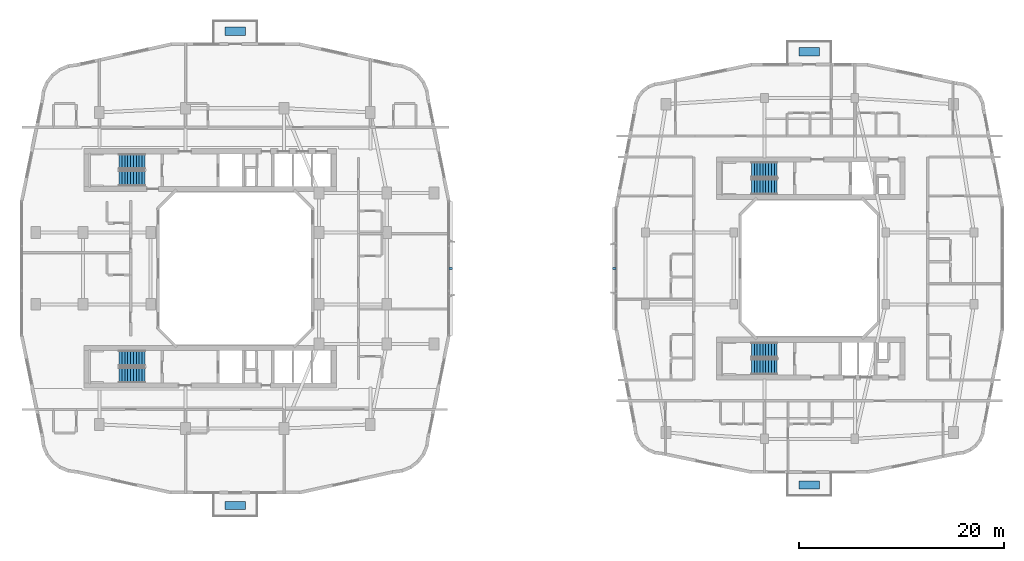
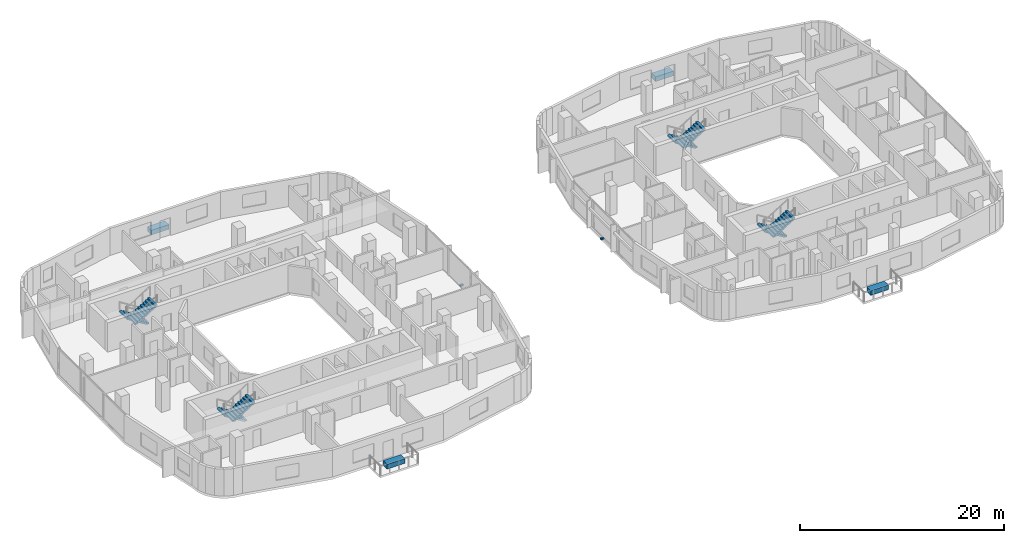
# One storey, part 17 of 22: 8 stair flights, 6 discrete accessories, 4 elements without a shape of their own.
"""IFC4 building model written with IfcOpenShell, lengths in metres."""

from ifc_helpers import new_model, si_unit, derived_unit, direction, frame, origin, origin_2d, place, context, subcontext, project, spatial, polyline, rectangle, outline, extrude, material, type_object, element, aggregate, save


model = new_model("IFC4")

# Units and contexts
model_context = context("Model", 3, precision=1e-05, world=origin(), true_north=direction((0.0, 1.0)))
body_context = subcontext(model_context, "Body", "Model", "MODEL_VIEW")
ifc_project = project(units=[si_unit("LENGTHUNIT", "METRE"), si_unit("AREAUNIT", "SQUARE_METRE"), si_unit("VOLUMEUNIT", "CUBIC_METRE"), si_unit("PLANEANGLEUNIT", "RADIAN"), si_unit("MASSUNIT", "GRAM", prefix="KILO"), derived_unit("THERMALTRANSMITTANCEUNIT", [(si_unit("POWERUNIT", "WATT"), 1), (si_unit("LENGTHUNIT", "METRE"), -2), (si_unit("THERMODYNAMICTEMPERATUREUNIT", "KELVIN"), -1)])], contexts=[model_context])

# Site, building, storey
site_placement = place(None, origin())
site = spatial("IfcSite", under=ifc_project, at=site_placement, CompositionType="ELEMENT")
building_placement = place(site_placement, origin())
building = spatial("IfcBuilding", under=site, at=building_placement, Name="Kivonza Crest Hotel", CompositionType="ELEMENT")
storey_placement = place(building_placement, frame((0.0, 0.0, 69.5)))
storey = spatial("IfcBuildingStorey", under=building, at=storey_placement, Name="L18", CompositionType="ELEMENT", Elevation=69.5)

# Stair, stair flights
ifc_material_1 = material(Name="Concrete C40/50", Category="concrete")
stair_type = type_object("IfcStairType", Name="ST-DL-20R", PredefinedType="HALF_TURN_STAIR", material=ifc_material_1)
stair_1_placement = place(storey_placement, origin())
stair_1 = element("IfcStair", 1, at=stair_1_placement, inside=storey, type_object=stair_type, Name="L18 Protected Exit Stair ST-T1-N", PredefinedType="HALF_TURN_STAIR")
stair_flight_type = type_object("IfcStairFlightType", Name="SFL-RC-10R", PredefinedType="STRAIGHT", material=ifc_material_1)
stair_flight_1_placement = place(storey_placement, frame((12.239990234375, 35.409912109375, 0.0), z_axis=(0.0, 0.0, 1.0), x_axis=(-1.0, 0.0, 0.0)))
stair_flight_1 = element("IfcStairFlight", 2, at=stair_flight_1_placement, type_object=stair_flight_type, Name="ST-T1-N flight 1", NumberOfRisers=10, NumberOfTreads=9, PredefinedType="STRAIGHT", RiserHeight=0.175, TreadLength=0.28, context=body_context, shape_type="SweptSolid", body=[
    extrude(outline(polyline([(0.0, 0.0), (0.0, 0.175048828125), (0.280029296875, 0.175048828125), (0.280029296875, 0.35009765625), (0.56005859375, 0.35009765625), (0.56005859375, 0.52490234375), (0.840087890625, 0.52490234375), (0.840087890625, 0.699951171875), (1.1201171875, 0.699951171875), (1.1201171875, 0.875), (1.39990234375, 0.875), (1.39990234375, 1.050048828125), (1.679931640625, 1.050048828125), (1.679931640625, 1.22509765625), (1.9599609375, 1.22509765625), (1.9599609375, 1.39990234375), (2.239990234375, 1.39990234375), (2.239990234375, 1.574951171875), (2.52001953125, 1.574951171875), (2.52001953125, 1.75), (2.52001953125, 1.398193359375), (0.28271484375, 0.0), (0.0, 0.0)])), frame((0.0, 0.75, 0.0), z_axis=(0.0, -1.0, 0.0), x_axis=(1.0, 0.0, 0.0)), (0.0, 0.0, 1.0), 1.5),
])
stair_flight_2_placement = place(storey_placement, frame((9.719970703125, 33.77001953125, 1.75), z_axis=(0.0, 0.0, 1.0), x_axis=(1.0, 0.0, 0.0)))
stair_flight_2 = element("IfcStairFlight", 3, at=stair_flight_2_placement, type_object=stair_flight_type, Name="ST-T1-N flight 2", NumberOfRisers=10, NumberOfTreads=9, PredefinedType="STRAIGHT", RiserHeight=0.175, TreadLength=0.28, context=body_context, shape_type="SweptSolid", body=[
    extrude(outline(polyline([(0.0, 0.0), (0.0, 0.175048828125), (0.280029296875, 0.175048828125), (0.280029296875, 0.35009765625), (0.56005859375, 0.35009765625), (0.56005859375, 0.52490234375), (0.840087890625, 0.52490234375), (0.840087890625, 0.699951171875), (1.1201171875, 0.699951171875), (1.1201171875, 0.875), (1.39990234375, 0.875), (1.39990234375, 1.050048828125), (1.679931640625, 1.050048828125), (1.679931640625, 1.22509765625), (1.9599609375, 1.22509765625), (1.9599609375, 1.39990234375), (2.239990234375, 1.39990234375), (2.239990234375, 1.574951171875), (2.52001953125, 1.574951171875), (2.52001953125, 1.75), (2.52001953125, 1.398193359375), (0.28271484375, 0.0), (0.0, 0.0)])), frame((0.0, 0.75, 0.0), z_axis=(0.0, -1.0, 0.0), x_axis=(1.0, 0.0, 0.0)), (0.0, 0.0, 1.0), 1.5),
])
aggregate(stair_1, [stair_flight_1, stair_flight_2])

stair_2_placement = place(storey_placement, origin())
stair_2 = element("IfcStair", 4, at=stair_2_placement, inside=storey, type_object=stair_type, Name="L18 Protected Exit Stair ST-T1-S", PredefinedType="HALF_TURN_STAIR")
stair_flight_3_placement = place(storey_placement, frame((12.239990234375, 16.25, 0.0), z_axis=(0.0, 0.0, 1.0), x_axis=(-1.0, 0.0, 0.0)))
stair_flight_3 = element("IfcStairFlight", 5, at=stair_flight_3_placement, type_object=stair_flight_type, Name="ST-T1-S flight 1", NumberOfRisers=10, NumberOfTreads=9, PredefinedType="STRAIGHT", RiserHeight=0.175, TreadLength=0.28, context=body_context, shape_type="SweptSolid", body=[
    extrude(outline(polyline([(0.0, 0.0), (0.0, 0.175048828125), (0.280029296875, 0.175048828125), (0.280029296875, 0.35009765625), (0.56005859375, 0.35009765625), (0.56005859375, 0.52490234375), (0.840087890625, 0.52490234375), (0.840087890625, 0.699951171875), (1.1201171875, 0.699951171875), (1.1201171875, 0.875), (1.39990234375, 0.875), (1.39990234375, 1.050048828125), (1.679931640625, 1.050048828125), (1.679931640625, 1.22509765625), (1.9599609375, 1.22509765625), (1.9599609375, 1.39990234375), (2.239990234375, 1.39990234375), (2.239990234375, 1.574951171875), (2.52001953125, 1.574951171875), (2.52001953125, 1.75), (2.52001953125, 1.398193359375), (0.28271484375, 0.0), (0.0, 0.0)])), frame((0.0, 0.75, 0.0), z_axis=(0.0, -1.0, 0.0), x_axis=(1.0, 0.0, 0.0)), (0.0, 0.0, 1.0), 1.5),
])
stair_flight_4_placement = place(storey_placement, frame((9.719970703125, 14.610107421875, 1.75), z_axis=(0.0, 0.0, 1.0), x_axis=(1.0, 0.0, 0.0)))
stair_flight_4 = element("IfcStairFlight", 6, at=stair_flight_4_placement, type_object=stair_flight_type, Name="ST-T1-S flight 2", NumberOfRisers=10, NumberOfTreads=9, PredefinedType="STRAIGHT", RiserHeight=0.175, TreadLength=0.28, context=body_context, shape_type="SweptSolid", body=[
    extrude(outline(polyline([(0.0, 0.0), (0.0, 0.175048828125), (0.280029296875, 0.175048828125), (0.280029296875, 0.35009765625), (0.56005859375, 0.35009765625), (0.56005859375, 0.52490234375), (0.840087890625, 0.52490234375), (0.840087890625, 0.699951171875), (1.1201171875, 0.699951171875), (1.1201171875, 0.875), (1.39990234375, 0.875), (1.39990234375, 1.050048828125), (1.679931640625, 1.050048828125), (1.679931640625, 1.22509765625), (1.9599609375, 1.22509765625), (1.9599609375, 1.39990234375), (2.239990234375, 1.39990234375), (2.239990234375, 1.574951171875), (2.52001953125, 1.574951171875), (2.52001953125, 1.75), (2.52001953125, 1.398193359375), (0.28271484375, 0.0), (0.0, 0.0)])), frame((0.0, 0.75, 0.0), z_axis=(0.0, -1.0, 0.0), x_axis=(1.0, 0.0, 0.0)), (0.0, 0.0, 1.0), 1.5),
])
aggregate(stair_2, [stair_flight_3, stair_flight_4])

stair_3_placement = place(storey_placement, origin())
stair_3 = element("IfcStair", 7, at=stair_3_placement, inside=storey, type_object=stair_type, Name="L18 Protected Exit Stair ST-T2-N", PredefinedType="HALF_TURN_STAIR")
stair_flight_5_placement = place(storey_placement, frame((73.840087890625, 34.610107421875, 0.0), z_axis=(0.0, 0.0, 1.0), x_axis=(-1.0, 0.0, 0.0)))
stair_flight_5 = element("IfcStairFlight", 8, at=stair_flight_5_placement, type_object=stair_flight_type, Name="ST-T2-N flight 1", NumberOfRisers=10, NumberOfTreads=9, PredefinedType="STRAIGHT", RiserHeight=0.175, TreadLength=0.28, context=body_context, shape_type="SweptSolid", body=[
    extrude(outline(polyline([(0.0, 0.0), (0.0, 0.175048828125), (0.280029296875, 0.175048828125), (0.280029296875, 0.35009765625), (0.56005859375, 0.35009765625), (0.56005859375, 0.52490234375), (0.840087890625, 0.52490234375), (0.840087890625, 0.699951171875), (1.1201171875, 0.699951171875), (1.1201171875, 0.875), (1.39990234375, 0.875), (1.39990234375, 1.050048828125), (1.679931640625, 1.050048828125), (1.679931640625, 1.22509765625), (1.9599609375, 1.22509765625), (1.9599609375, 1.39990234375), (2.239990234375, 1.39990234375), (2.239990234375, 1.574951171875), (2.52001953125, 1.574951171875), (2.52001953125, 1.75), (2.52001953125, 1.398193359375), (0.28271484375, 0.0), (0.0, 0.0)])), frame((0.0, 0.75, 0.0), z_axis=(0.0, -1.0, 0.0), x_axis=(1.0, 0.0, 0.0)), (0.0, 0.0, 1.0), 1.5),
])
stair_flight_6_placement = place(storey_placement, frame((71.320068359375, 32.969970703125, 1.75), z_axis=(0.0, 0.0, 1.0), x_axis=(1.0, 0.0, 0.0)))
stair_flight_6 = element("IfcStairFlight", 9, at=stair_flight_6_placement, type_object=stair_flight_type, Name="ST-T2-N flight 2", NumberOfRisers=10, NumberOfTreads=9, PredefinedType="STRAIGHT", RiserHeight=0.175, TreadLength=0.28, context=body_context, shape_type="SweptSolid", body=[
    extrude(outline(polyline([(0.0, 0.0), (0.0, 0.175048828125), (0.280029296875, 0.175048828125), (0.280029296875, 0.35009765625), (0.56005859375, 0.35009765625), (0.56005859375, 0.52490234375), (0.840087890625, 0.52490234375), (0.840087890625, 0.699951171875), (1.1201171875, 0.699951171875), (1.1201171875, 0.875), (1.39990234375, 0.875), (1.39990234375, 1.050048828125), (1.679931640625, 1.050048828125), (1.679931640625, 1.22509765625), (1.9599609375, 1.22509765625), (1.9599609375, 1.39990234375), (2.239990234375, 1.39990234375), (2.239990234375, 1.574951171875), (2.52001953125, 1.574951171875), (2.52001953125, 1.75), (2.52001953125, 1.398193359375), (0.28271484375, 0.0), (0.0, 0.0)])), frame((0.0, 0.75, 0.0), z_axis=(0.0, -1.0, 0.0), x_axis=(1.0, 0.0, 0.0)), (0.0, 0.0, 1.0), 1.5),
])
aggregate(stair_3, [stair_flight_5, stair_flight_6])

stair_4_placement = place(storey_placement, origin())
stair_4 = element("IfcStair", 10, at=stair_4_placement, inside=storey, type_object=stair_type, Name="L18 Protected Exit Stair ST-T2-S", PredefinedType="HALF_TURN_STAIR")
stair_flight_7_placement = place(storey_placement, frame((73.840087890625, 17.050048828125, 0.0), z_axis=(0.0, 0.0, 1.0), x_axis=(-1.0, 0.0, 0.0)))
stair_flight_7 = element("IfcStairFlight", 11, at=stair_flight_7_placement, type_object=stair_flight_type, Name="ST-T2-S flight 1", NumberOfRisers=10, NumberOfTreads=9, PredefinedType="STRAIGHT", RiserHeight=0.175, TreadLength=0.28, context=body_context, shape_type="SweptSolid", body=[
    extrude(outline(polyline([(0.0, 0.0), (0.0, 0.175048828125), (0.280029296875, 0.175048828125), (0.280029296875, 0.35009765625), (0.56005859375, 0.35009765625), (0.56005859375, 0.52490234375), (0.840087890625, 0.52490234375), (0.840087890625, 0.699951171875), (1.1201171875, 0.699951171875), (1.1201171875, 0.875), (1.39990234375, 0.875), (1.39990234375, 1.050048828125), (1.679931640625, 1.050048828125), (1.679931640625, 1.22509765625), (1.9599609375, 1.22509765625), (1.9599609375, 1.39990234375), (2.239990234375, 1.39990234375), (2.239990234375, 1.574951171875), (2.52001953125, 1.574951171875), (2.52001953125, 1.75), (2.52001953125, 1.398193359375), (0.28271484375, 0.0), (0.0, 0.0)])), frame((0.0, 0.75, 0.0), z_axis=(0.0, -1.0, 0.0), x_axis=(1.0, 0.0, 0.0)), (0.0, 0.0, 1.0), 1.5),
])
stair_flight_8_placement = place(storey_placement, frame((71.320068359375, 15.409912109375, 1.75), z_axis=(0.0, 0.0, 1.0), x_axis=(1.0, 0.0, 0.0)))
stair_flight_8 = element("IfcStairFlight", 12, at=stair_flight_8_placement, type_object=stair_flight_type, Name="ST-T2-S flight 2", NumberOfRisers=10, NumberOfTreads=9, PredefinedType="STRAIGHT", RiserHeight=0.175, TreadLength=0.28, context=body_context, shape_type="SweptSolid", body=[
    extrude(outline(polyline([(0.0, 0.0), (0.0, 0.175048828125), (0.280029296875, 0.175048828125), (0.280029296875, 0.35009765625), (0.56005859375, 0.35009765625), (0.56005859375, 0.52490234375), (0.840087890625, 0.52490234375), (0.840087890625, 0.699951171875), (1.1201171875, 0.699951171875), (1.1201171875, 0.875), (1.39990234375, 0.875), (1.39990234375, 1.050048828125), (1.679931640625, 1.050048828125), (1.679931640625, 1.22509765625), (1.9599609375, 1.22509765625), (1.9599609375, 1.39990234375), (2.239990234375, 1.39990234375), (2.239990234375, 1.574951171875), (2.52001953125, 1.574951171875), (2.52001953125, 1.75), (2.52001953125, 1.398193359375), (0.28271484375, 0.0), (0.0, 0.0)])), frame((0.0, 0.75, 0.0), z_axis=(0.0, -1.0, 0.0), x_axis=(1.0, 0.0, 0.0)), (0.0, 0.0, 1.0), 1.5),
])
aggregate(stair_4, [stair_flight_7, stair_flight_8])

# Discrete accessories
ifc_material_2 = material(Name="Stainless steel 316", Category="steel")
discrete_accessory_type_1 = type_object("IfcDiscreteAccessoryType", Name="AC-BRACKET-240", PredefinedType="BRACKET", material=ifc_material_2)
for number, where, z_axis, x_axis, name in (
    (13, (42.0400390625, 25.0, -0.009765625), (0.0, 0.0, 1.0), (0.0, 1.0, 0.0), "L18 terracotta baguette support bracket CW-T1-L18-17"),
    (14, (57.9599609375, 25.0, -0.009765625), (0.0, 0.0, 1.0), (0.0, -1.0, 0.0), "L18 terracotta baguette support bracket CW-T2-L18-35"),
):
    element("IfcDiscreteAccessory", number, at=place(storey_placement, frame(where, z_axis=z_axis, x_axis=x_axis)), inside=storey, type_object=discrete_accessory_type_1, Name=name, PredefinedType="BRACKET", context=body_context, shape_type="SweptSolid", body=[
        extrude(rectangle(XDim=0.219970703125, YDim=0.340087890625, at=origin_2d()), origin(), (0.0, 0.0, 1.0), 0.179931640625),
    ])
ifc_material_3 = material(Name="Precast GRC planter with engineered planting soil", Category="concrete")
discrete_accessory_type_2 = type_object("IfcDiscreteAccessoryType", Name="AC-PLANTER-1800", PredefinedType="USERDEFINED", material=ifc_material_3)
for number, where, z_axis, x_axis, name in (
    (15, (21.0400390625, 1.89990234375, 0.0), (0.0, 0.0, 1.0), (1.0, 0.0, 0.0), "T1 L18 SW sky-garden planter"),
    (16, (21.0400390625, 48.10009765625, 0.0), (0.0, 0.0, 1.0), (1.0, 0.0, 0.0), "T1 L18 NE sky-garden planter"),
    (17, (76.9599609375, 3.89990234375, 0.0), (0.0, 0.0, 1.0), (1.0, 0.0, 0.0), "T2 L18 SW sky-garden planter"),
    (18, (76.9599609375, 46.10009765625, 0.0), (0.0, 0.0, 1.0), (1.0, 0.0, 0.0), "T2 L18 NE sky-garden planter"),
):
    element("IfcDiscreteAccessory", number, at=place(storey_placement, frame(where, z_axis=z_axis, x_axis=x_axis)), inside=storey, type_object=discrete_accessory_type_2, Name=name, ObjectType="PLANTER", PredefinedType="USERDEFINED", context=body_context, shape_type="SweptSolid", body=[
        extrude(rectangle(XDim=2.0, YDim=0.800048828125, at=origin_2d()), origin(), (0.0, 0.0, 1.0), 0.550048828125),
    ])

save(model, "model.ifc")
